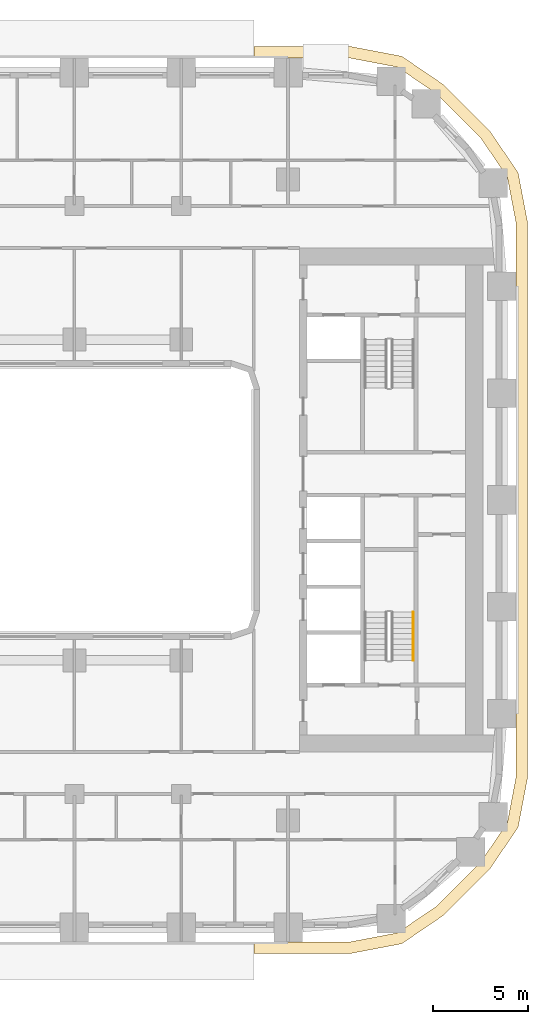
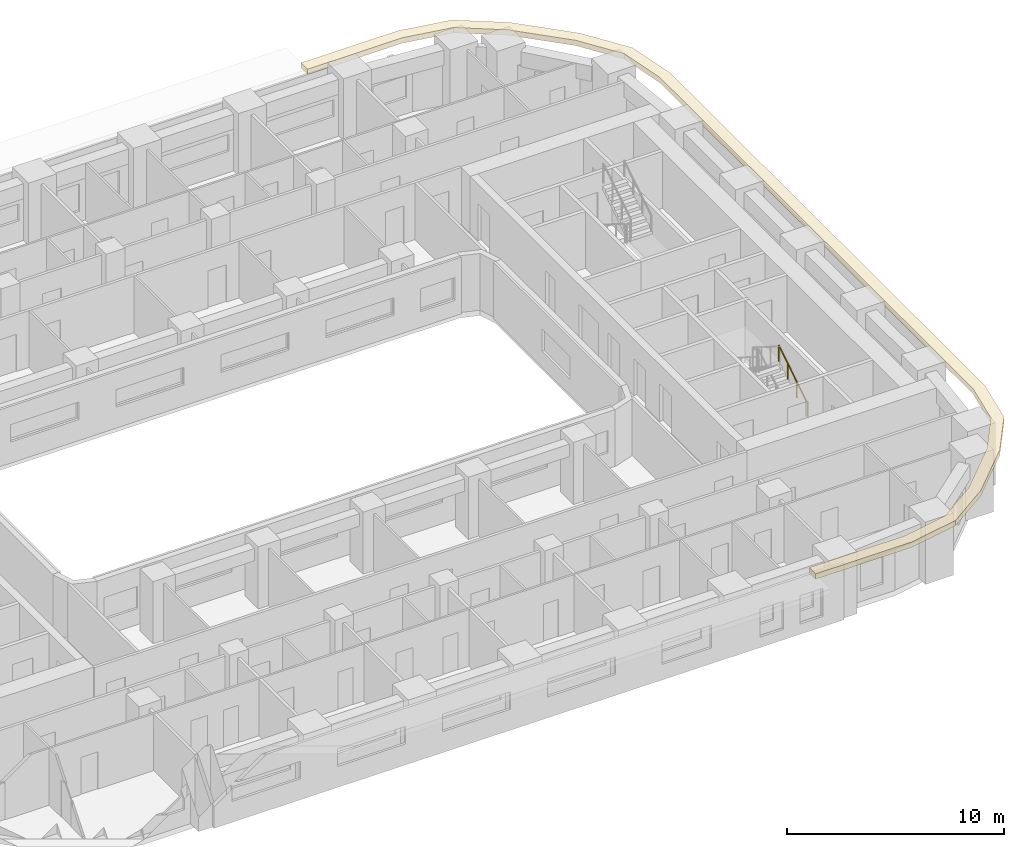
# One storey, part 16 of 20: 1 covering, 1 railing.
"""IFC4 building model written with IfcOpenShell, lengths in metres."""

from ifc_helpers import new_model, si_unit, direction, frame, origin, origin_2d, place, context, subcontext, project, spatial, polyline, circle, outline, extrude, material, layer, layer_set, type_object, element, save


model = new_model("IFC4")

# Units and contexts
model_context = context("Model", 3, precision=1e-05, world=origin(), true_north=direction((0.0, 1.0)))
body_context = subcontext(model_context, "Body", "Model", "MODEL_VIEW")
ifc_project = project(units=[si_unit("LENGTHUNIT", "METRE"), si_unit("AREAUNIT", "SQUARE_METRE"), si_unit("VOLUMEUNIT", "CUBIC_METRE"), si_unit("PLANEANGLEUNIT", "RADIAN"), si_unit("MASSUNIT", "GRAM", prefix="KILO")], contexts=[model_context])

# Site, building, storey
site_placement = place(None, origin())
site = spatial("IfcSite", under=ifc_project, at=site_placement, CompositionType="ELEMENT")
building_placement = place(site_placement, origin())
building = spatial("IfcBuilding", under=site, at=building_placement, Name="Kiln Ring Residences", CompositionType="ELEMENT")
storey_placement = place(building_placement, frame((0.0, 0.0, 37.5)))
storey = spatial("IfcBuildingStorey", under=building, at=storey_placement, Name="L08", CompositionType="ELEMENT", Elevation=37.5)

# Railing
ifc_material_1 = material(Name="Stainless steel", Category="steel")
railing_type = type_object("IfcRailingType", Name="CORE-STAIR-HANDRAIL", PredefinedType="HANDRAIL", material=ifc_material_1)
railing_placement = place(storey_placement, frame((23.35009765625, -8.39990234375, 0.175048828125)))
element("IfcRailing", 1, at=railing_placement, inside=storey, type_object=railing_type, Name="L08 E-STS stair handrail 1", PredefinedType="HANDRAIL", context=body_context, shape_type="SweptSolid", body=[
    extrude(circle(Radius=0.02392578125, at=origin_2d()), frame((0.0, 0.0, 0.8759765625), z_axis=(0.0, 0.848007534815, 0.529984170421), x_axis=(-1.0, 0.0, 0.0)), (0.0, 0.0, 1.0), 2.9716796875),
    extrude(circle(Radius=0.02099609375, at=origin_2d()), origin(), (0.0, 0.0, 1.0), 0.851806640625),
    extrude(circle(Radius=0.02099609375, at=origin_2d()), frame((0.0, 0.840087890625, 0.52490234375)), (0.0, 0.0, 1.0), 0.851806640625),
    extrude(circle(Radius=0.02099609375, at=origin_2d()), frame((0.0, 1.679931640625, 1.050048828125)), (0.0, 0.0, 1.0), 0.851806640625),
    extrude(circle(Radius=0.02099609375, at=origin_2d()), frame((0.0, 2.52001953125, 1.574951171875)), (0.0, 0.0, 1.0), 0.851806640625),
])

# Covering
ifc_material_2 = material(Name="Black powder-coated steel", Category="steel")
ifc_layer = layer(ifc_material_2, 0.300048828125)
ifc_layer_set = layer_set([ifc_layer], Name="SUNSHADE FIN 600")
covering_type = type_object("IfcCoveringType", Name="SUNSHADE FIN 600", PredefinedType="CLADDING", material=ifc_layer_set)
covering_placement = place(storey_placement, frame((0.0, 0.0, 3.199951171875)))
element("IfcCovering", 2, at=covering_placement, inside=storey, type_object=covering_type, Name="SUNSHADE FIN L08", PredefinedType="CLADDING", context=body_context, shape_type="SweptSolid", body=[
    extrude(outline(polyline([(20.127685546875, 23.75), (15.0, 23.75), (15.0, 23.14990234375), (20.07080078125, 23.14990234375), (22.517333984375, 22.683349609375), (24.577392578125, 21.283447265625), (26.88330078125, 18.977294921875), (28.283447265625, 16.91748046875), (28.75, 14.470947265625), (28.75, -14.470947265625), (28.283447265625, -16.91748046875), (26.88330078125, -18.977294921875), (24.577392578125, -21.283447265625), (22.517333984375, -22.683349609375), (20.07080078125, -23.14990234375), (15.0, -23.14990234375), (15.0, -23.75), (20.127685546875, -23.75), (22.751953125, -23.24951171875), (24.96142578125, -21.747802734375), (27.347900390625, -19.361328125), (28.849365234375, -17.15185546875), (29.35009765625, -14.527587890625), (29.35009765625, 14.527587890625), (28.849365234375, 17.15185546875), (27.347900390625, 19.361328125), (24.96142578125, 21.747802734375), (22.751953125, 23.24951171875), (20.127685546875, 23.75)])), origin(), (0.0, 0.0, 1.0), 0.300048828125),
])

save(model, "model.ifc")
